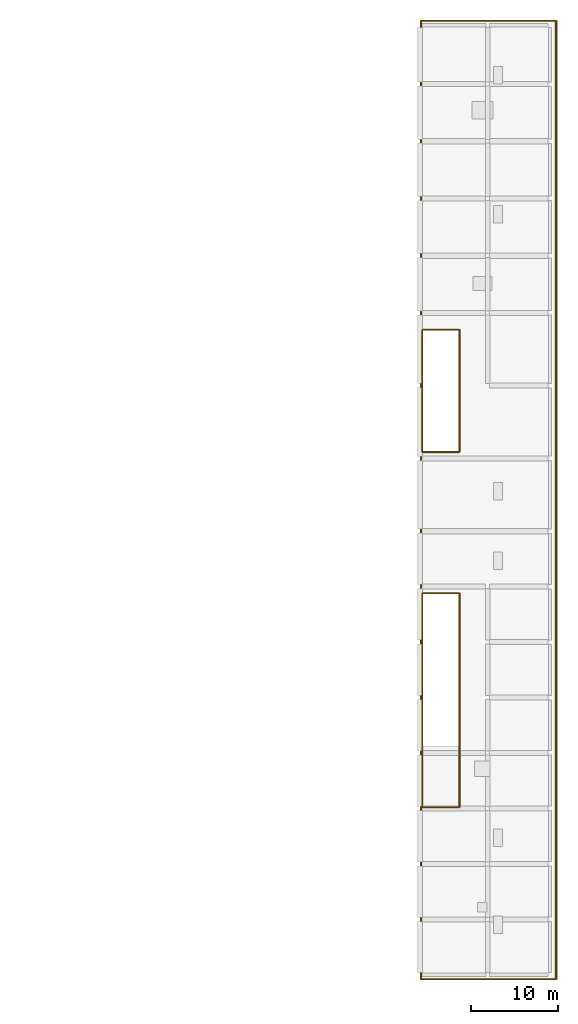
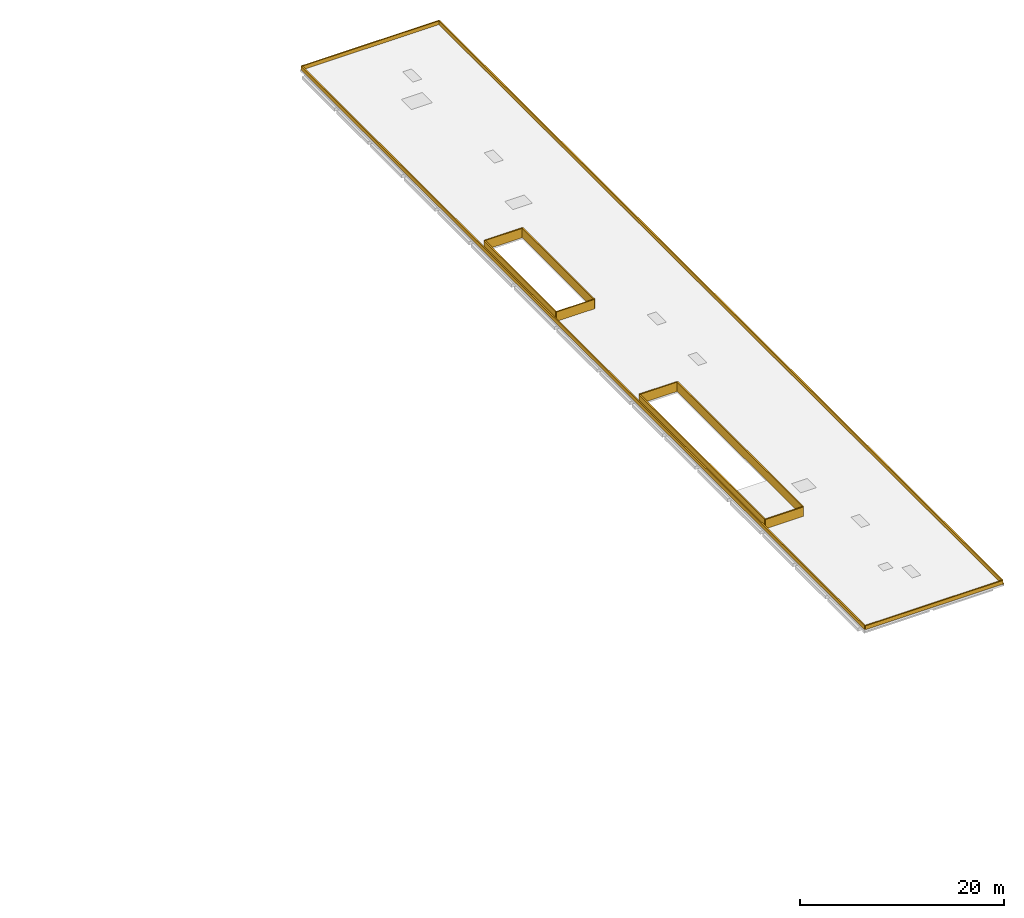
# One storey, part 24 of 24: 13 coverings.
"""IFC4 building model written with IfcOpenShell, lengths in metres."""

from ifc_helpers import new_model, si_unit, derived_unit, direction, frame, origin, origin_2d, place, context, subcontext, project, spatial, rectangle, extrude, material, layer, layer_set, type_object, element, save


model = new_model("IFC4")

# Units and contexts
model_context = context("Model", 3, precision=1e-05, world=origin(), true_north=direction((0.0, 1.0)))
body_context = subcontext(model_context, "Body", "Model", "MODEL_VIEW")
ifc_project = project(units=[si_unit("LENGTHUNIT", "METRE"), si_unit("AREAUNIT", "SQUARE_METRE"), si_unit("VOLUMEUNIT", "CUBIC_METRE"), si_unit("PLANEANGLEUNIT", "RADIAN"), si_unit("MASSUNIT", "GRAM", prefix="KILO"), derived_unit("THERMALTRANSMITTANCEUNIT", [(si_unit("POWERUNIT", "WATT"), 1), (si_unit("LENGTHUNIT", "METRE"), -2), (si_unit("THERMODYNAMICTEMPERATUREUNIT", "KELVIN"), -1)])], contexts=[model_context])

# Site, building, storey
site_placement = place(None, origin())
site = spatial("IfcSite", under=ifc_project, at=site_placement, CompositionType="ELEMENT")
building_placement = place(site_placement, origin())
building = spatial("IfcBuilding", under=site, at=building_placement, Name="Braskholm Square Health Centre", CompositionType="ELEMENT")
storey_placement = place(building_placement, frame((0.0, 0.0, 21.60009765625)))
storey = spatial("IfcBuildingStorey", under=building, at=storey_placement, Name="L06", CompositionType="ELEMENT", Elevation=21.60009765625)

# Coverings
ifc_material_1 = material(Name="Dark patinated chevron architectural bronze", Category="aluminium")
ifc_layer_1 = layer(ifc_material_1, 0.070068359375)
ifc_layer_set_1 = layer_set([ifc_layer_1], Name="Dark patinated chevron architectural bronze")
covering_type_1 = type_object("IfcCoveringType", Name="BronzeZigguratFriezeCladding", PredefinedType="CLADDING", material=ifc_layer_set_1)
covering_1_placement = place(storey_placement, frame((164.580078125, 59.0, -0.2001953125), z_axis=(0.0, 0.0, 1.0), x_axis=(1.0, 0.0, 0.0)))
element("IfcCovering", 1, at=covering_1_placement, inside=storey, type_object=covering_type_1, Name="Classical Art Deco architectural trim 0901", PredefinedType="CLADDING", context=body_context, shape_type="SweptSolid", body=[
    extrude(rectangle(XDim=0.1201171875, YDim=110.60009765625, at=origin_2d()), origin(), (0.0, 0.0, 1.0), 0.219970703125),
])
ifc_material_2 = material(Name="Mankato-Kasota dolomitic limestone ashlar", Category="masonry")
ifc_layer_2 = layer(ifc_material_2, 0.090087890625)
ifc_layer_set_2 = layer_set([ifc_layer_2], Name="Mankato-Kasota dolomitic limestone ashlar")
covering_type_2 = type_object("IfcCoveringType", Name="KasotaAshlarBaseCladding", PredefinedType="CLADDING", material=ifc_layer_set_2)
covering_2_placement = place(storey_placement, frame((156.699951171875, 3.699951171875, 0.0), z_axis=(0.0, 0.0, 1.0), x_axis=(1.0, 0.0, 0.0)))
element("IfcCovering", 2, at=covering_2_placement, inside=storey, type_object=covering_type_2, Name="Stepped precast roof cornice trim 0926", PredefinedType="CLADDING", context=body_context, shape_type="SweptSolid", body=[
    extrude(rectangle(XDim=15.60009765625, YDim=0.139892578125, at=origin_2d()), origin(), (0.0, 0.0, 1.0), 0.449951171875),
])
covering_3_placement = place(storey_placement, frame((164.5, 59.0, 0.0), z_axis=(0.0, 0.0, 1.0), x_axis=(0.0, 1.0, 0.0)))
element("IfcCovering", 3, at=covering_3_placement, inside=storey, type_object=covering_type_2, Name="Stepped precast roof cornice trim 0927", PredefinedType="CLADDING", context=body_context, shape_type="SweptSolid", body=[
    extrude(rectangle(XDim=110.60009765625, YDim=0.139892578125, at=origin_2d()), origin(), (0.0, 0.0, 1.0), 0.449951171875),
])
covering_4_placement = place(storey_placement, frame((156.699951171875, 114.300048828125, 0.0), z_axis=(0.0, 0.0, 1.0), x_axis=(-1.0, 0.0, 0.0)))
element("IfcCovering", 4, at=covering_4_placement, inside=storey, type_object=covering_type_2, Name="Stepped precast roof cornice trim 0928", PredefinedType="CLADDING", context=body_context, shape_type="SweptSolid", body=[
    extrude(rectangle(XDim=15.60009765625, YDim=0.139892578125, at=origin_2d()), origin(), (0.0, 0.0, 1.0), 0.449951171875),
])
covering_5_placement = place(storey_placement, frame((148.89990234375, 59.0, 0.0), z_axis=(0.0, 0.0, 1.0), x_axis=(0.0, -1.0, 0.0)))
element("IfcCovering", 5, at=covering_5_placement, inside=storey, type_object=covering_type_2, Name="Stepped precast roof cornice trim 0929", PredefinedType="CLADDING", context=body_context, shape_type="SweptSolid", body=[
    extrude(rectangle(XDim=110.60009765625, YDim=0.139892578125, at=origin_2d()), origin(), (0.0, 0.0, 1.0), 0.449951171875),
])
covering_6_placement = place(storey_placement, frame((151.199951171875, 23.550048828125, -0.000244140625), z_axis=(0.0, 0.0, 1.0), x_axis=(1.0, 0.0, 0.0)))
element("IfcCovering", 6, at=covering_6_placement, inside=storey, type_object=covering_type_2, Name="Stepped precast roof cornice trim 0938", PredefinedType="CLADDING", context=body_context, shape_type="SweptSolid", body=[
    extrude(rectangle(XDim=4.300048828125, YDim=0.139892578125, at=origin_2d()), origin(), (0.0, 0.0, 1.0), 1.1201171875),
])
covering_7_placement = place(storey_placement, frame((153.35009765625, 35.89990234375, -0.000244140625), z_axis=(0.0, 0.0, 1.0), x_axis=(0.0, 1.0, 0.0)))
element("IfcCovering", 7, at=covering_7_placement, inside=storey, type_object=covering_type_2, Name="Stepped precast roof cornice trim 0939", PredefinedType="CLADDING", context=body_context, shape_type="SweptSolid", body=[
    extrude(rectangle(XDim=24.699951171875, YDim=0.139892578125, at=origin_2d()), origin(), (0.0, 0.0, 1.0), 1.1201171875),
])
covering_8_placement = place(storey_placement, frame((151.199951171875, 48.25, -0.000244140625), z_axis=(0.0, 0.0, 1.0), x_axis=(-1.0, 0.0, 0.0)))
element("IfcCovering", 8, at=covering_8_placement, inside=storey, type_object=covering_type_2, Name="Stepped precast roof cornice trim 0940", PredefinedType="CLADDING", context=body_context, shape_type="SweptSolid", body=[
    extrude(rectangle(XDim=4.300048828125, YDim=0.139892578125, at=origin_2d()), origin(), (0.0, 0.0, 1.0), 1.1201171875),
])
covering_9_placement = place(storey_placement, frame((149.050048828125, 35.89990234375, -0.000244140625), z_axis=(0.0, 0.0, 1.0), x_axis=(0.0, -1.0, 0.0)))
element("IfcCovering", 9, at=covering_9_placement, inside=storey, type_object=covering_type_2, Name="Stepped precast roof cornice trim 0941", PredefinedType="CLADDING", context=body_context, shape_type="SweptSolid", body=[
    extrude(rectangle(XDim=24.699951171875, YDim=0.139892578125, at=origin_2d()), origin(), (0.0, 0.0, 1.0), 1.1201171875),
])
covering_10_placement = place(storey_placement, frame((151.199951171875, 64.550048828125, -0.000244140625), z_axis=(0.0, 0.0, 1.0), x_axis=(1.0, 0.0, 0.0)))
element("IfcCovering", 10, at=covering_10_placement, inside=storey, type_object=covering_type_2, Name="Stepped precast roof cornice trim 0942", PredefinedType="CLADDING", context=body_context, shape_type="SweptSolid", body=[
    extrude(rectangle(XDim=4.300048828125, YDim=0.139892578125, at=origin_2d()), origin(), (0.0, 0.0, 1.0), 1.1201171875),
])
covering_11_placement = place(storey_placement, frame((153.35009765625, 71.60009765625, -0.000244140625), z_axis=(0.0, 0.0, 1.0), x_axis=(0.0, 1.0, 0.0)))
element("IfcCovering", 11, at=covering_11_placement, inside=storey, type_object=covering_type_2, Name="Stepped precast roof cornice trim 0943", PredefinedType="CLADDING", context=body_context, shape_type="SweptSolid", body=[
    extrude(rectangle(XDim=14.10009765625, YDim=0.139892578125, at=origin_2d()), origin(), (0.0, 0.0, 1.0), 1.1201171875),
])
covering_12_placement = place(storey_placement, frame((151.199951171875, 78.64990234375, -0.000244140625), z_axis=(0.0, 0.0, 1.0), x_axis=(-1.0, 0.0, 0.0)))
element("IfcCovering", 12, at=covering_12_placement, inside=storey, type_object=covering_type_2, Name="Stepped precast roof cornice trim 0944", PredefinedType="CLADDING", context=body_context, shape_type="SweptSolid", body=[
    extrude(rectangle(XDim=4.300048828125, YDim=0.139892578125, at=origin_2d()), origin(), (0.0, 0.0, 1.0), 1.1201171875),
])
covering_13_placement = place(storey_placement, frame((149.050048828125, 71.60009765625, -0.000244140625), z_axis=(0.0, 0.0, 1.0), x_axis=(0.0, -1.0, 0.0)))
element("IfcCovering", 13, at=covering_13_placement, inside=storey, type_object=covering_type_2, Name="Stepped precast roof cornice trim 0945", PredefinedType="CLADDING", context=body_context, shape_type="SweptSolid", body=[
    extrude(rectangle(XDim=14.10009765625, YDim=0.139892578125, at=origin_2d()), origin(), (0.0, 0.0, 1.0), 1.1201171875),
])

save(model, "model.ifc")
